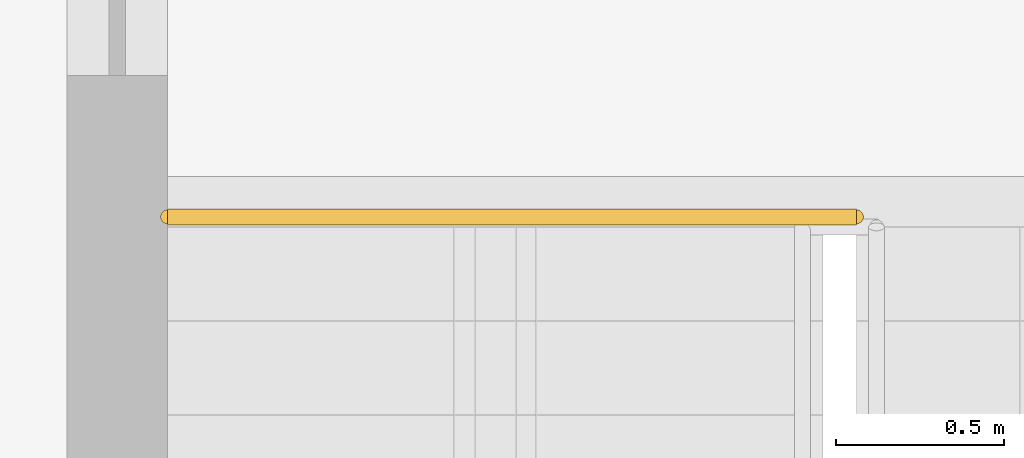
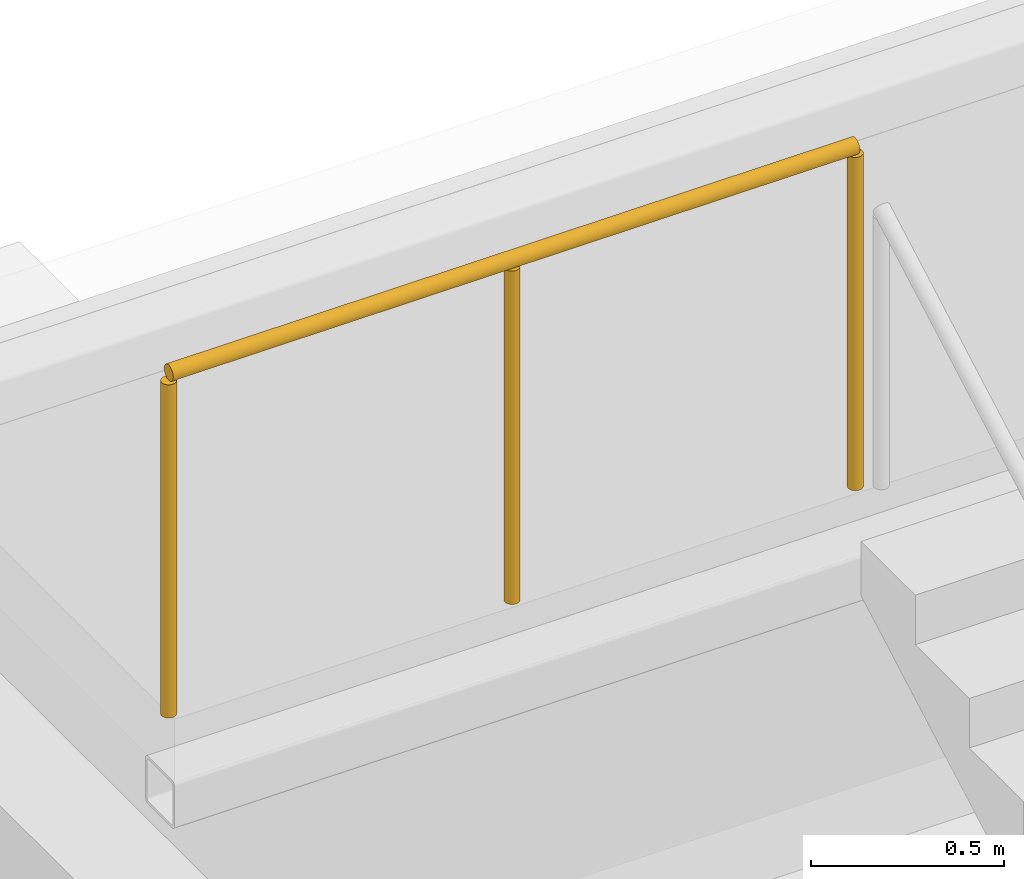
# One storey, part 17 of 20: 1 railing.
"""IFC4 building model written with IfcOpenShell, lengths in metres."""

from ifc_helpers import new_model, si_unit, direction, frame, origin, origin_2d, place, context, subcontext, project, spatial, circle, extrude, material, type_object, element, save


model = new_model("IFC4")

# Units and contexts
model_context = context("Model", 3, precision=1e-05, world=origin(), true_north=direction((0.0, 1.0)))
body_context = subcontext(model_context, "Body", "Model", "MODEL_VIEW")
ifc_project = project(units=[si_unit("LENGTHUNIT", "METRE"), si_unit("AREAUNIT", "SQUARE_METRE"), si_unit("VOLUMEUNIT", "CUBIC_METRE"), si_unit("PLANEANGLEUNIT", "RADIAN"), si_unit("MASSUNIT", "GRAM", prefix="KILO")], contexts=[model_context])

# Site, building, storey
site_placement = place(None, origin())
site = spatial("IfcSite", under=ifc_project, at=site_placement, CompositionType="ELEMENT")
building_placement = place(site_placement, origin())
building = spatial("IfcBuilding", under=site, at=building_placement, Name="Mizan Broadcast Tower", CompositionType="ELEMENT")
storey_placement = place(building_placement, frame((0.0, 0.0, -5.0)))
storey = spatial("IfcBuildingStorey", under=building, at=storey_placement, Name="B1", CompositionType="ELEMENT", Elevation=-5.0)

# Railing
ifc_material = material(Name="Stainless steel and glass guard", Category="steel")
railing_type = type_object("IfcRailingType", Name="GUARD 1100", PredefinedType="GUARDRAIL", material=ifc_material)
railing_placement = place(storey_placement, frame((43.89990234375, 39.97998046875, 5.0)))
element("IfcRailing", 1, at=railing_placement, inside=storey, type_object=railing_type, Name="Stair E top landing guard", PredefinedType="GUARDRAIL", context=body_context, shape_type="SweptSolid", body=[
    extrude(circle(Radius=0.02392578125, at=origin_2d()), frame((0.0, 0.0, 1.076171875), z_axis=(1.0, 0.0, 0.0), x_axis=(0.0, 1.0, 0.0)), (0.0, 0.0, 1.0), 2.050048828125),
    extrude(circle(Radius=0.02099609375, at=origin_2d()), origin(), (0.0, 0.0, 1.0), 1.052001953125),
    extrude(circle(Radius=0.02099609375, at=origin_2d()), frame((1.02490234375, 0.0, 0.0)), (0.0, 0.0, 1.0), 1.052001953125),
    extrude(circle(Radius=0.02099609375, at=origin_2d()), frame((2.050048828125, 0.0, 0.0)), (0.0, 0.0, 1.0), 1.052001953125),
])

save(model, "model.ifc")
